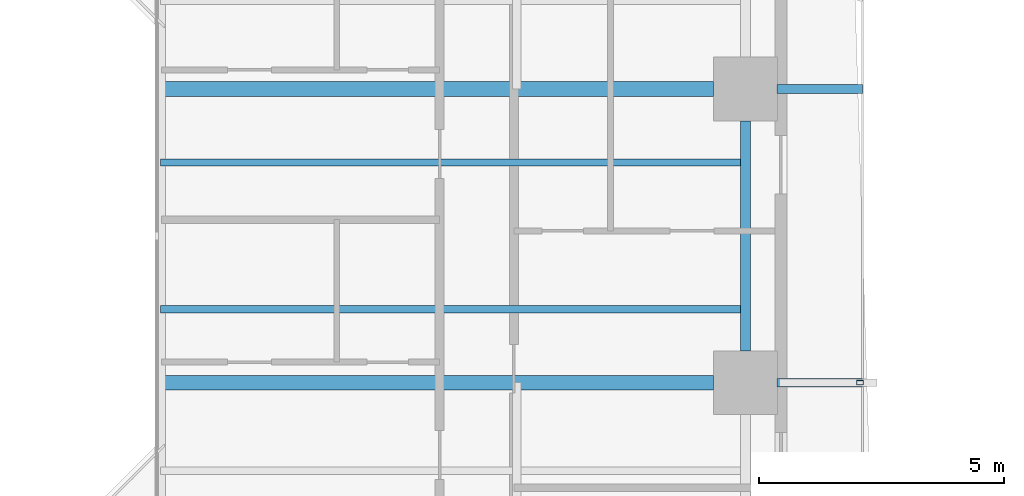
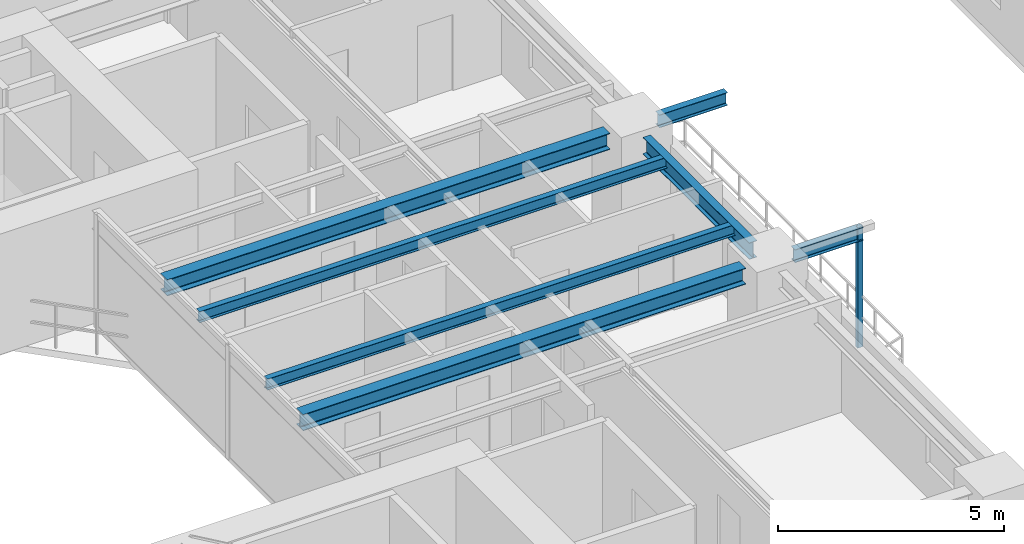
# One storey, part 7 of 23: 7 beams, 1 member.
"""IFC4 building model written with IfcOpenShell, lengths in metres."""

import ifcopenshell
import ifcopenshell.guid

model = None  # the IFC model being written
_history = None  # IfcOwnerHistory: only IFC2X3 demands one
_inside = {}  # id of a spatial element -> (the spatial element, [elements in it])
_under = {}  # id of a project, library or spatial element -> (it, [spatial elements below it])
_declared = {}  # id of a project -> (the project, [libraries it declares])
_typed = {}  # id of a type object -> (the type object, [elements of that type])
_made_of = {}  # id of a material, layer set ... -> (it, [elements and type objects made of it])


def new_model(schema):
    """Start an empty IFC model of exactly this schema.

    Asked for "IFC4X3", IfcOpenShell would pick the latest addendum, in which some entities
    have other attributes; the version numbers below select the first issue.
    IFC2X3 requires an IfcOwnerHistory on every rooted entity: one is made here for all.
    """
    global model, _history
    if schema == "IFC4X3":
        model = ifcopenshell.file(schema_version=(4, 3, 0, 0))
    else:
        model = ifcopenshell.file(schema=schema)
    _inside.clear()
    _under.clear()
    _declared.clear()
    _typed.clear()
    _made_of.clear()
    _history = None
    if model.schema == "IFC2X3":
        org = make("IfcOrganization", Name="unknown")
        user = make(
            "IfcPersonAndOrganization",
            ThePerson=make("IfcPerson", FamilyName="unknown"),
            TheOrganization=org,
        )
        app = make(
            "IfcApplication",
            ApplicationDeveloper=org,
            Version="unknown",
            ApplicationFullName="unknown",
            ApplicationIdentifier="unknown",
        )
        _history = make(
            "IfcOwnerHistory",
            OwningUser=user,
            OwningApplication=app,
            ChangeAction="ADDED",
            CreationDate=0,
        )
    return model


def make(cls, **values):
    """One entity of the class cls with the attributes given. An attribute that is None is left unset."""
    return model.create_entity(
        cls, **{name: value for name, value in values.items() if value is not None}
    )


def rooted(cls, **values):
    """An entity with a GlobalId (a new one), such as an element, a storey or a relation."""
    return make(cls, GlobalId=ifcopenshell.guid.new(), OwnerHistory=_history, **values)


def si_unit(unit_type, name, prefix=None):
    """IfcSIUnit, for example si_unit("LENGTHUNIT", "METRE", prefix="MILLI")."""
    return make("IfcSIUnit", UnitType=unit_type, Prefix=prefix, Name=name)


def assignment(units):
    """IfcUnitAssignment: the units of a project."""
    return None if units is None else make("IfcUnitAssignment", Units=units)


def point(xyz):
    """IfcCartesianPoint."""
    return None if xyz is None else make("IfcCartesianPoint", Coordinates=xyz)


def direction(xyz):
    """IfcDirection."""
    return None if xyz is None else make("IfcDirection", DirectionRatios=xyz)


def frame(location, z_axis=None, x_axis=None):
    """IfcAxis2Placement3D, a coordinate frame: its origin and axes. An axis left out is left unset."""
    return make(
        "IfcAxis2Placement3D",
        Location=point(location),
        Axis=direction(z_axis),
        RefDirection=direction(x_axis),
    )


def frame_2d(location, x_axis=None):
    """IfcAxis2Placement2D, a coordinate frame in the plane: its origin and x axis."""
    return make(
        "IfcAxis2Placement2D", Location=point(location), RefDirection=direction(x_axis)
    )


def origin():
    """The frame at (0, 0, 0) with its axes left unset."""
    return frame((0.0, 0.0, 0.0))


def origin_2d():
    """The frame at (0, 0) in the plane with its x axis left unset."""
    return frame_2d((0.0, 0.0))


def place(relative_to, where):
    """IfcLocalPlacement: puts the frame where relative to a parent placement (None: the world)."""
    return make(
        "IfcLocalPlacement", PlacementRelTo=relative_to, RelativePlacement=where
    )


def context(
    kind, dimensions, precision=None, world=None, true_north=None, identifier=None
):
    """IfcGeometricRepresentationContext, for example the 3D "Model" context."""
    return make(
        "IfcGeometricRepresentationContext",
        ContextIdentifier=identifier,
        ContextType=kind,
        CoordinateSpaceDimension=dimensions,
        Precision=precision,
        WorldCoordinateSystem=world,
        TrueNorth=true_north,
    )


def subcontext(parent, identifier, kind, view, scale=None):
    """IfcGeometricRepresentationSubContext, for example "Body" below "Model"."""
    return make(
        "IfcGeometricRepresentationSubContext",
        ContextIdentifier=identifier,
        ContextType=kind,
        ParentContext=parent,
        TargetScale=scale,
        TargetView=view,
    )


def project(units=None, contexts=None):
    """IfcProject with its units and contexts."""
    return rooted(
        "IfcProject",
        Name="project",
        RepresentationContexts=contexts,
        UnitsInContext=assignment(units),
    )


def spatial(cls, under=None, at=None, **own):
    """A site, building, storey or space (cls), placed at a placement, below another one or the project."""
    s = rooted(cls, ObjectPlacement=at, **own)
    if under is not None:
        _under.setdefault(under.id(), (under, []))[1].append(s)
    return s


def profile(cls, at=None, kind="AREA", **sizes):
    """A parametric profile (cls). Its sizes go by their IFC names, for example OverallWidth=200.0."""
    return make(cls, ProfileType=kind, Position=at, **sizes)


def hollow_rectangle(**sizes):
    """IfcRectangleHollowProfileDef."""
    return profile("IfcRectangleHollowProfileDef", **sizes)


def i_section(**sizes):
    """IfcIShapeProfileDef."""
    return profile("IfcIShapeProfileDef", **sizes)


def extrude(swept, where, along, depth):
    """IfcExtrudedAreaSolid: the profile swept, set in the frame where, extruded along a direction by depth."""
    return make(
        "IfcExtrudedAreaSolid",
        SweptArea=swept,
        Position=where,
        ExtrudedDirection=direction(along),
        Depth=depth,
    )


def shape(context_of_items, identifier, shape_type, items):
    """IfcShapeRepresentation: the items that make up one representation, for example the "Body"."""
    return make(
        "IfcShapeRepresentation",
        ContextOfItems=context_of_items,
        RepresentationIdentifier=identifier,
        RepresentationType=shape_type,
        Items=items,
    )


def source(mapping_origin, context_of_items, identifier, shape_type, items):
    """IfcRepresentationMap: a shape defined once, which mapped items show again and again."""
    return make(
        "IfcRepresentationMap",
        MappingOrigin=mapping_origin,
        MappedRepresentation=shape(context_of_items, identifier, shape_type, items),
    )


def transform(
    local_origin,
    x_axis=None,
    y_axis=None,
    z_axis=None,
    scale=None,
    scale2=None,
    scale3=None,
    uniform=True,
):
    """IfcCartesianTransformationOperator3D, or its non-uniform kind. x_axis, y_axis, z_axis: its Axis1, 2, 3."""
    if uniform:
        return make(
            "IfcCartesianTransformationOperator3D",
            Axis1=direction(x_axis),
            Axis2=direction(y_axis),
            LocalOrigin=point(local_origin),
            Scale=scale,
            Axis3=direction(z_axis),
        )
    return make(
        "IfcCartesianTransformationOperator3DnonUniform",
        Axis1=direction(x_axis),
        Axis2=direction(y_axis),
        LocalOrigin=point(local_origin),
        Scale=scale,
        Axis3=direction(z_axis),
        Scale2=scale2,
        Scale3=scale3,
    )


def mapped(mapping_source, mapping_target):
    """IfcMappedItem: shows the shape of a source again, moved by a transform."""
    return make(
        "IfcMappedItem", MappingSource=mapping_source, MappingTarget=mapping_target
    )


def material(Name=None, Category=None):
    """IfcMaterial."""
    return make("IfcMaterial", Name=Name, Category=Category)


def material_profile(
    of_material, cross_section, Name=None, Category=None, Priority=None
):
    """IfcMaterialProfile: a cross section and its material."""
    return make(
        "IfcMaterialProfile",
        Name=Name,
        Material=of_material,
        Profile=cross_section,
        Priority=Priority,
        Category=Category,
    )


def profile_set(profiles, Name=None, composite=None):
    """IfcMaterialProfileSet."""
    return make(
        "IfcMaterialProfileSet",
        Name=Name,
        MaterialProfiles=profiles,
        CompositeProfile=composite,
    )


def made_of(thing, what):
    """Note that an element or type object is made of a material, layer set ...; save() writes the relation."""
    if what is not None:
        _made_of.setdefault(what.id(), (what, []))[1].append(thing)
    return thing


def type_object(cls, material=None, **own):
    """A type object (cls), such as IfcWallType, which elements share."""
    return made_of(rooted(cls, **own), material)


def element(
    cls,
    number,
    at=None,
    inside=None,
    cuts=None,
    type_object=None,
    material=None,
    context=None,
    identifier="Body",
    shape_type=None,
    held_by="IfcProductDefinitionShape",
    body=None,
    shapes=None,
    **own,
):
    """One element of the class cls, such as IfcWall. Its Tag is "e" and its number.

    at: its placement. inside: the storey or other place that contains it. cuts: it is an
    opening in that element (IfcRelVoidsElement). A single representation is given by context,
    identifier, shape_type and body (its items); several are given by shapes. held_by: the class
    of the entity that holds the representations. save() writes the other relations.
    """
    e = rooted(cls, Tag="e%d" % number, ObjectPlacement=at, **own)
    if body is not None:
        shapes = [shape(context, identifier, shape_type, body)]
    if shapes is not None:
        e.Representation = make(held_by, Representations=shapes)
    if inside is not None:
        _inside.setdefault(inside.id(), (inside, []))[1].append(e)
    if cuts is not None:
        rooted(
            "IfcRelVoidsElement", RelatingBuildingElement=cuts, RelatedOpeningElement=e
        )
    if type_object is not None:
        _typed.setdefault(type_object.id(), (type_object, []))[1].append(e)
    return made_of(e, material)


def aggregate(whole, parts):
    """IfcRelAggregates: a whole, such as a stair, and the parts it consists of."""
    return rooted("IfcRelAggregates", RelatingObject=whole, RelatedObjects=parts)


def save(model, path):
    """Write the relations noted so far, then the file.

    IfcRelAggregates (storeys below a building ...), IfcRelContainedInSpatialStructure (elements
    in a storey), IfcRelDefinesByType, IfcRelAssociatesMaterial and IfcRelDeclares: one each for
    every whole, place, type object, material and project.
    """
    for whole, parts in _under.values():
        aggregate(whole, parts)
    for where, things in _inside.values():
        rooted(
            "IfcRelContainedInSpatialStructure",
            RelatedElements=things,
            RelatingStructure=where,
        )
    for kind, things in _typed.values():
        rooted("IfcRelDefinesByType", RelatedObjects=things, RelatingType=kind)
    for what, things in _made_of.values():
        rooted("IfcRelAssociatesMaterial", RelatedObjects=things, RelatingMaterial=what)
    for by, libraries in _declared.values():
        rooted("IfcRelDeclares", RelatingContext=by, RelatedDefinitions=libraries)
    model.write(path)


model = new_model("IFC4")

# Units and contexts
model_context = context("Model", 3, precision=1e-05, world=origin(), true_north=direction((0.0, 1.0)))
body_context = subcontext(model_context, "Body", "Model", "MODEL_VIEW")
ifc_project = project(units=[si_unit("LENGTHUNIT", "METRE"), si_unit("AREAUNIT", "SQUARE_METRE"), si_unit("VOLUMEUNIT", "CUBIC_METRE"), si_unit("PLANEANGLEUNIT", "RADIAN"), si_unit("MASSUNIT", "GRAM", prefix="KILO"), si_unit("THERMODYNAMICTEMPERATUREUNIT", "KELVIN"), si_unit("POWERUNIT", "WATT")], contexts=[model_context])

# Site, building, storey
site_placement = place(None, origin())
site = spatial("IfcSite", under=ifc_project, at=site_placement, CompositionType="ELEMENT")
building_placement = place(site_placement, origin())
building = spatial("IfcBuilding", under=site, at=building_placement, Name="Qiaomeng Ring Towers", CompositionType="ELEMENT")
storey_placement = place(building_placement, frame((0.0, 0.0, 79.5)))
storey = spatial("IfcBuildingStorey", under=building, at=storey_placement, Name="L22", CompositionType="ELEMENT", Elevation=79.5)

# Beams
ifc_material_1 = material(Name="Steel Q355B", Category="steel")
ifc_material_profile_1 = material_profile(ifc_material_1, i_section(OverallWidth=0.199951171875, OverallDepth=0.449951171875, WebThickness=0.009033203125, FlangeThickness=0.013916015625, FilletRadius=0.01806640625, at=origin_2d()), Name="HN 450x200x9x14")
ifc_profile_set_1 = profile_set([ifc_material_profile_1], Name="Steel Q355B")
beam_type_1 = type_object("IfcBeamType", Name="STR-BM-HN450", PredefinedType="SPANDREL", material=ifc_profile_set_1)
shared_shape_1 = source(origin(), body_context, "Body", "SweptSolid", [
    extrude(i_section(OverallWidth=0.199951171875, OverallDepth=0.449951171875, WebThickness=0.009033203125, FlangeThickness=0.013916015625, FilletRadius=0.01806640625, at=origin_2d()), origin(), (0.0, 0.0, 1.0), 4.7021484375),
])
beam_placement = place(storey_placement, frame((37.14990234375, 20.64892578125, 2.844970703125), z_axis=(0.0, 1.0, 0.0), x_axis=(-1.0, 0.0, 0.0)))
element("IfcBeam", 1, at=beam_placement, inside=storey, type_object=beam_type_1, Name="L22 beam STR-SP-L22-T1-E2-E3", PredefinedType="SPANDREL", context=body_context, shape_type="MappedRepresentation", body=[
    mapped(shared_shape_1, transform((0.0, 0.0, 0.0), x_axis=(1.0, 0.0, 0.0), y_axis=(0.0, 1.0, 0.0), z_axis=(0.0, 0.0, 1.0), scale=1.0)),
])
ifc_material_profile_2 = material_profile(ifc_material_1, i_section(OverallWidth=0.300048828125, OverallDepth=0.43994140625, WebThickness=0.010986328125, FlangeThickness=0.01806640625, FilletRadius=0.02392578125, at=origin_2d()), Name="HM 440x300x11x18")
ifc_profile_set_2 = profile_set([ifc_material_profile_2], Name="Steel Q355B")
beam_type_2 = type_object("IfcBeamType", Name="STR-BM-HM440", PredefinedType="BEAM", material=ifc_profile_set_2)
shared_shape_2 = source(origin(), body_context, "Body", "SweptSolid", [
    extrude(i_section(OverallWidth=0.300048828125, OverallDepth=0.43994140625, WebThickness=0.010986328125, FlangeThickness=0.01806640625, FilletRadius=0.02392578125, at=origin_2d()), origin(), (0.0, 0.0, 1.0), 11.301025390625),
])
for number, where, z_axis, x_axis, name in (
    (2, (25.199951171875, 20.0, 2.85009765625), (1.0, 0.0, 0.0), (0.0, 1.0, 0.0), "L22 beam STR-BM-L22-T1-RAD-E2"),
    (3, (25.199951171875, 26.0, 2.85009765625), (1.0, 0.0, 0.0), (0.0, 1.0, 0.0), "L22 beam STR-BM-L22-T1-RAD-E3"),
):
    element("IfcBeam", number, at=place(storey_placement, frame(where, z_axis=z_axis, x_axis=x_axis)), inside=storey, type_object=beam_type_2, Name=name, PredefinedType="BEAM", context=body_context, shape_type="MappedRepresentation", body=[
        mapped(shared_shape_2, transform((0.0, 0.0, 0.0), x_axis=(1.0, 0.0, 0.0), y_axis=(0.0, 1.0, 0.0), z_axis=(0.0, 0.0, 1.0), scale=1.0)),
    ])
ifc_material_profile_3 = material_profile(ifc_material_1, i_section(OverallWidth=0.14990234375, OverallDepth=0.300048828125, WebThickness=0.006591796875, FlangeThickness=0.009033203125, FilletRadius=0.012939453125, at=origin_2d()), Name="HN 300x150x6.5x9")
ifc_profile_set_3 = profile_set([ifc_material_profile_3], Name="Steel Q355B")
beam_type_3 = type_object("IfcBeamType", Name="STR-BM-HN300", PredefinedType="JOIST", material=ifc_profile_set_3)
shared_shape_3 = source(origin(), body_context, "Body", "SweptSolid", [
    extrude(i_section(OverallWidth=0.14990234375, OverallDepth=0.300048828125, WebThickness=0.006591796875, FlangeThickness=0.009033203125, FilletRadius=0.012939453125, at=origin_2d()), origin(), (0.0, 0.0, 1.0), 11.949951171875),
])
for number, where, z_axis, x_axis, name in (
    (4, (25.199951171875, 21.5, 2.919921875), (1.0, 0.0, 0.0), (0.0, 1.0, 0.0), "L22 beam STR-JST-L22-T1E-2"),
    (5, (25.199951171875, 24.5, 2.919921875), (1.0, 0.0, 0.0), (0.0, 1.0, 0.0), "L22 beam STR-JST-L22-T1E-3"),
):
    element("IfcBeam", number, at=place(storey_placement, frame(where, z_axis=z_axis, x_axis=x_axis)), inside=storey, type_object=beam_type_3, Name=name, PredefinedType="JOIST", context=body_context, shape_type="MappedRepresentation", body=[
        mapped(shared_shape_3, transform((0.0, 0.0, 0.0), x_axis=(1.0, 0.0, 0.0), y_axis=(0.0, 1.0, 0.0), z_axis=(0.0, 0.0, 1.0), scale=1.0)),
    ])
ifc_material_profile_4 = material_profile(ifc_material_1, i_section(OverallWidth=0.175048828125, OverallDepth=0.35009765625, WebThickness=0.007080078125, FlangeThickness=0.010986328125, FilletRadius=0.013916015625, at=origin_2d()), Name="HN 350x175x7x11")
ifc_profile_set_4 = profile_set([ifc_material_profile_4], Name="Steel Q355B")
beam_type_4 = type_object("IfcBeamType", Name="STR-BM-HN350", PredefinedType="JOIST", material=ifc_profile_set_4)
shared_shape_4 = source(origin(), body_context, "Body", "SweptSolid", [
    extrude(i_section(OverallWidth=0.175048828125, OverallDepth=0.35009765625, WebThickness=0.007080078125, FlangeThickness=0.010986328125, FilletRadius=0.013916015625, at=origin_2d()), origin(), (0.0, 0.0, 1.0), 1.740966796875),
])
for number, where, z_axis, x_axis, name in (
    (6, (37.799072265625, 20.0, 2.89501953125), (1.0, 0.0, 0.0), (0.0, 1.0, 0.0), "L22 beam STR-BALBM-L22-E2"),
    (7, (37.799072265625, 26.0, 2.89501953125), (1.0, 0.0, 0.0), (0.0, 1.0, 0.0), "L22 beam STR-BALBM-L22-E3"),
):
    element("IfcBeam", number, at=place(storey_placement, frame(where, z_axis=z_axis, x_axis=x_axis)), inside=storey, type_object=beam_type_4, Name=name, PredefinedType="JOIST", context=body_context, shape_type="MappedRepresentation", body=[
        mapped(shared_shape_4, transform((0.0, 0.0, 0.0), x_axis=(1.0, 0.0, 0.0), y_axis=(0.0, 1.0, 0.0), z_axis=(0.0, 0.0, 1.0), scale=1.0)),
    ])

# Member
ifc_material_2 = material(Name="Stainless steel 316", Category="steel")
ifc_material_profile_5 = material_profile(ifc_material_2, hollow_rectangle(XDim=0.090087890625, YDim=0.139892578125, WallThickness=0.0048828125, at=origin_2d()), Name="SS TRELLIS 90x140")
ifc_profile_set_5 = profile_set([ifc_material_profile_5], Name="Stainless steel 316")
member_type = type_object("IfcMemberType", Name="ARC-TR-POST1", PredefinedType="STUD", material=ifc_profile_set_5)
shared_shape_5 = source(origin(), body_context, "Body", "SweptSolid", [
    extrude(hollow_rectangle(XDim=0.090087890625, YDim=0.139892578125, WallThickness=0.0048828125, at=origin_2d()), origin(), (0.0, 0.0, 1.0), 3.25),
])
member_placement = place(storey_placement, frame((39.489990234375, 20.0, -0.179931640625), z_axis=(0.0, 0.0, 1.0), x_axis=(0.0, 1.0, 0.0)))
element("IfcMember", 8, at=member_placement, inside=storey, type_object=member_type, Name="L22 Outer Ventilated Trellis Post E", PredefinedType="STUD", context=body_context, shape_type="MappedRepresentation", body=[
    mapped(shared_shape_5, transform((0.0, 0.0, 0.0), x_axis=(1.0, 0.0, 0.0), y_axis=(0.0, 1.0, 0.0), z_axis=(0.0, 0.0, 1.0), scale=1.0)),
])

save(model, "model.ifc")
